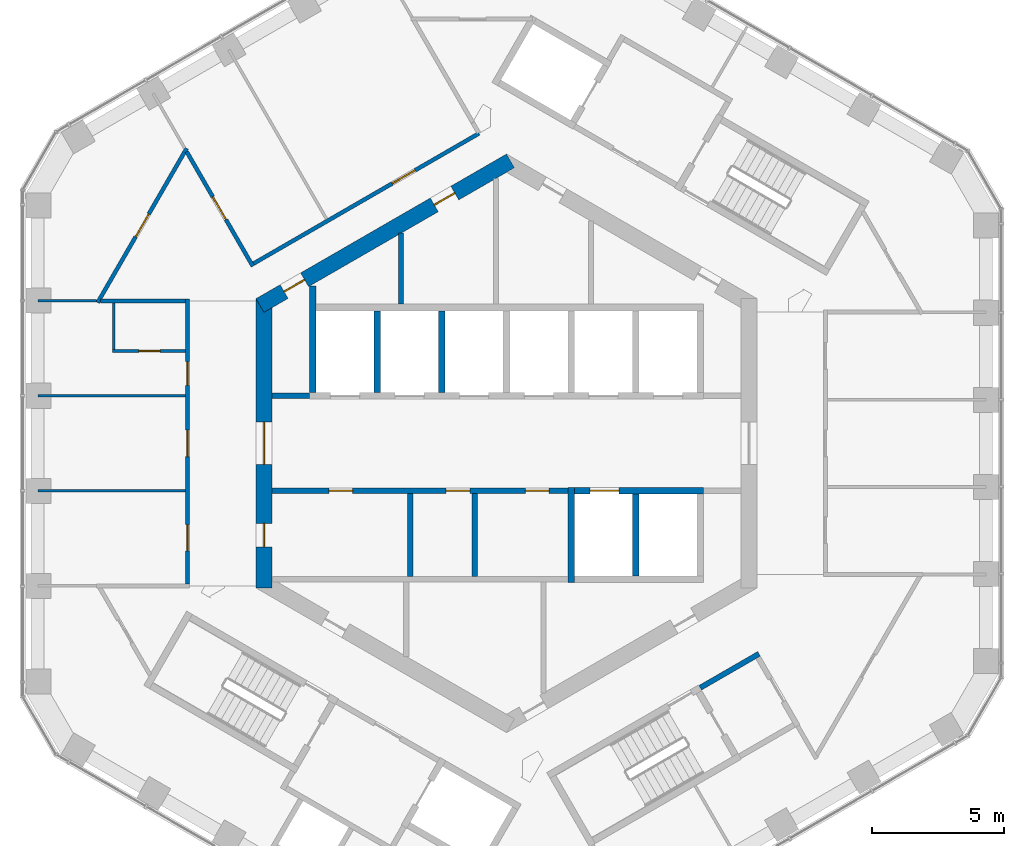
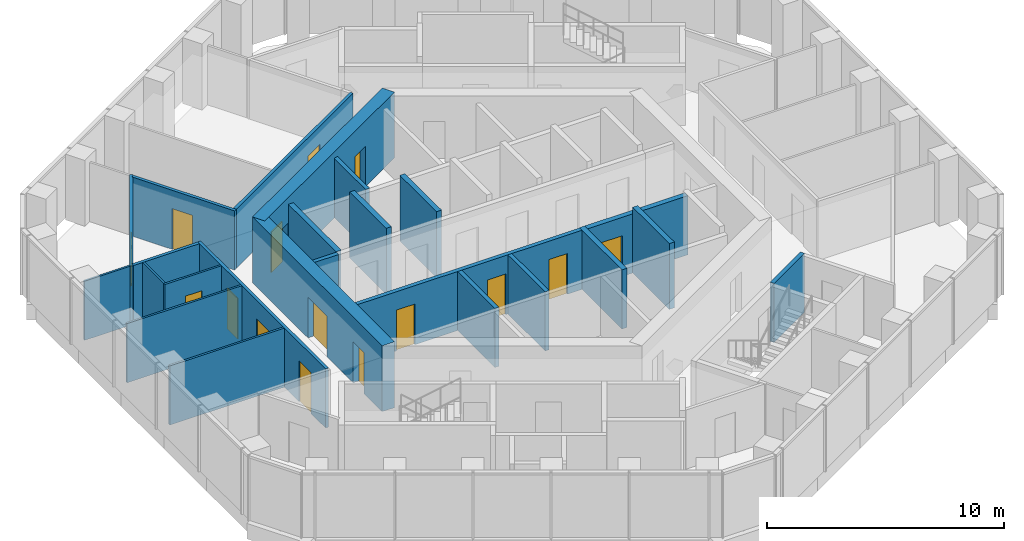
# One storey, part 14 of 18: 24 walls, 15 doors, 15 openings.
"""IFC4 building model written with IfcOpenShell, lengths in metres."""

from ifc_helpers import new_model, si_unit, direction, frame, frame_2d, origin, place, context, subcontext, project, spatial, rectangle, extrude, material, layer, layer_set, type_object, element, fill, save


model = new_model("IFC4")

# Units and contexts
model_context = context("Model", 3, precision=1e-05, world=origin(), true_north=direction((0.0, 1.0)))
body_context = subcontext(model_context, "Body", "Model", "MODEL_VIEW")
ifc_project = project(units=[si_unit("LENGTHUNIT", "METRE"), si_unit("AREAUNIT", "SQUARE_METRE"), si_unit("VOLUMEUNIT", "CUBIC_METRE"), si_unit("PLANEANGLEUNIT", "RADIAN"), si_unit("MASSUNIT", "GRAM", prefix="KILO")], contexts=[model_context])

# Site, building, storey
site_placement = place(None, origin())
site = spatial("IfcSite", under=ifc_project, at=site_placement, CompositionType="ELEMENT")
building_placement = place(site_placement, origin())
building = spatial("IfcBuilding", under=site, at=building_placement, Name="Ayvan Gate Tower", CompositionType="ELEMENT")
storey_placement = place(building_placement, frame((0.0, 0.0, 176.5)))
storey = spatial("IfcBuildingStorey", under=building, at=storey_placement, Name="L47", CompositionType="ELEMENT", Elevation=176.5)

# Wall, openings, doors
ifc_material_1 = material(Name="Concrete C60/75", Category="concrete")
ifc_layer_1 = layer(ifc_material_1, 0.60009765625)
ifc_layer_set_1 = layer_set([ifc_layer_1], Name="Concrete C60/75")
wall_type_1 = type_object("IfcWallType", Name="Core wall 600 C60/75", PredefinedType="SHEAR", material=ifc_layer_set_1)
wall_1_placement = place(storey_placement, frame((0.14990234375, 10.7099609375, 0.0), z_axis=(0.0, 0.0, 1.0), x_axis=(-0.866023993627, -0.500002442456, 0.0)))
wall_1 = element("IfcWall", 1, at=wall_1_placement, inside=storey, type_object=wall_type_1, Name="CORE-L47-2", PredefinedType="SHEAR", context=body_context, shape_type="SweptSolid", body=[
    extrude(rectangle(XDim=10.9697265625, YDim=0.60009765625, at=frame_2d((5.48486328125, 0.0))), origin(), (0.0, 0.0, 1.0), 3.39990234375),
])
opening_1_placement = place(wall_1_placement, frame((9.013427734375, 0.0, 0.0)))
opening_1 = element("IfcOpeningElement", 2, at=opening_1_placement, cuts=wall_1, Name="Opening L47-D39", PredefinedType="OPENING", context=body_context, shape_type="SweptSolid", body=[
    extrude(rectangle(XDim=0.89990234375, YDim=2.10009765625, at=frame_2d((0.449951171875, 1.050048828125))), frame((0.0, 0.31005859375, 0.0), z_axis=(0.0, -1.0, 0.0), x_axis=(1.0, 0.0, 0.0)), (0.0, 0.0, 1.0), 0.6201171875),
])
opening_2_placement = place(wall_1_placement, frame((2.437255859375, 0.0, 0.0)))
opening_2 = element("IfcOpeningElement", 3, at=opening_2_placement, cuts=wall_1, Name="Opening L47-D40", PredefinedType="OPENING", context=body_context, shape_type="SweptSolid", body=[
    extrude(rectangle(XDim=0.89990234375, YDim=2.10009765625, at=frame_2d((0.449951171875, 1.050048828125))), frame((0.0, 0.31005859375, 0.0), z_axis=(0.0, -1.0, 0.0), x_axis=(1.0, 0.0, 0.0)), (0.0, 0.0, 1.0), 0.6201171875),
])
ifc_material_2 = material(Name="Timber door leaf", Category="wood")
door_type_1 = type_object("IfcDoorType", Name="DT-900", OperationType="NOTDEFINED", PredefinedType="DOOR", material=ifc_material_2)
door_1_placement = place(opening_1_placement, origin())
door_1 = element("IfcDoor", 4, at=door_1_placement, inside=storey, type_object=door_type_1, Name="CD-L47-39", OperationType="SINGLE_SWING_RIGHT", OverallHeight=2.10009765625, OverallWidth=0.89990234375, PredefinedType="DOOR", context=body_context, shape_type="SweptSolid", body=[
    extrude(rectangle(XDim=0.89990234375, YDim=2.10009765625, at=frame_2d((0.449951171875, 1.050048828125))), frame((0.0, 0.02490234375, 0.0), z_axis=(0.0, -1.0, 0.0), x_axis=(1.0, 0.0, 0.0)), (0.0, 0.0, 1.0), 0.050048828125),
])
fill(opening_1, door_1)
door_2_placement = place(opening_2_placement, origin())
door_2 = element("IfcDoor", 5, at=door_2_placement, inside=storey, type_object=door_type_1, Name="CD-L47-40", OperationType="SINGLE_SWING_LEFT", OverallHeight=2.10009765625, OverallWidth=0.89990234375, PredefinedType="DOOR", context=body_context, shape_type="SweptSolid", body=[
    extrude(rectangle(XDim=0.89990234375, YDim=2.10009765625, at=frame_2d((0.449951171875, 1.050048828125))), frame((0.0, 0.02490234375, 0.0), z_axis=(0.0, -1.0, 0.0), x_axis=(1.0, 0.0, 0.0)), (0.0, 0.0, 1.0), 0.050048828125),
])
fill(opening_2, door_2)

wall_2_placement = place(storey_placement, frame((-9.199951171875, 5.48486328125, 0.0), z_axis=(0.0, 0.0, 1.0), x_axis=(0.0, -1.0, 0.0)))
wall_2 = element("IfcWall", 6, at=wall_2_placement, inside=storey, type_object=wall_type_1, Name="CORE-L47-3", PredefinedType="SHEAR", context=body_context, shape_type="SweptSolid", body=[
    extrude(rectangle(XDim=10.9697265625, YDim=0.60009765625, at=frame_2d((5.48486328125, 0.0))), origin(), (0.0, 0.0, 1.0), 3.39990234375),
])
opening_3_placement = place(wall_2_placement, frame((8.51611328125, 0.0, 0.0)))
opening_3 = element("IfcOpeningElement", 7, at=opening_3_placement, cuts=wall_2, Name="Opening L47-D46", PredefinedType="OPENING", context=body_context, shape_type="SweptSolid", body=[
    extrude(rectangle(XDim=0.89990234375, YDim=2.10009765625, at=frame_2d((0.449951171875, 1.050048828125))), frame((0.0, 0.31005859375, 0.0), z_axis=(0.0, -1.0, 0.0), x_axis=(1.0, 0.0, 0.0)), (0.0, 0.0, 1.0), 0.6201171875),
])
opening_4_placement = place(wall_2_placement, frame((4.684814453125, 0.0, 0.0)))
opening_4 = element("IfcOpeningElement", 8, at=opening_4_placement, cuts=wall_2, Name="Opening L47-D48", PredefinedType="OPENING", context=body_context, shape_type="SweptSolid", body=[
    extrude(rectangle(XDim=1.60009765625, YDim=2.10009765625, at=frame_2d((0.800048828125, 1.050048828125))), frame((0.0, 0.31005859375, 0.0), z_axis=(0.0, -1.0, 0.0), x_axis=(1.0, 0.0, 0.0)), (0.0, 0.0, 1.0), 0.6201171875),
])
door_type_2 = type_object("IfcDoorType", Name="DT-1600", OperationType="NOTDEFINED", PredefinedType="DOOR", material=ifc_material_2)
door_3_placement = place(opening_4_placement, origin())
door_3 = element("IfcDoor", 9, at=door_3_placement, inside=storey, type_object=door_type_2, Name="CD-L47-48", OperationType="SINGLE_SWING_LEFT", OverallHeight=2.10009765625, OverallWidth=1.60009765625, PredefinedType="DOOR", context=body_context, shape_type="SweptSolid", body=[
    extrude(rectangle(XDim=1.60009765625, YDim=2.10009765625, at=frame_2d((0.800048828125, 1.050048828125))), frame((0.0, 0.02490234375, 0.0), z_axis=(0.0, -1.0, 0.0), x_axis=(1.0, 0.0, 0.0)), (0.0, 0.0, 1.0), 0.050048828125),
])
fill(opening_4, door_3)
door_4_placement = place(opening_3_placement, origin())
door_4 = element("IfcDoor", 10, at=door_4_placement, inside=storey, type_object=door_type_1, Name="CD-L47-46", OperationType="SINGLE_SWING_LEFT", OverallHeight=2.10009765625, OverallWidth=0.89990234375, PredefinedType="DOOR", context=body_context, shape_type="SweptSolid", body=[
    extrude(rectangle(XDim=0.89990234375, YDim=2.10009765625, at=frame_2d((0.449951171875, 1.050048828125))), frame((0.0, 0.02490234375, 0.0), z_axis=(0.0, -1.0, 0.0), x_axis=(1.0, 0.0, 0.0)), (0.0, 0.0, 1.0), 0.050048828125),
])
fill(opening_3, door_4)

# Wall, opening, door
ifc_material_3 = material(Name="Plasterboard on steel stud", Category="steel")
ifc_layer_2 = layer(ifc_material_3, 0.14990234375)
ifc_layer_set_2 = layer_set([ifc_layer_2], Name="Plasterboard on steel stud")
wall_type_2 = type_object("IfcWallType", Name="WT-CORR-150", PredefinedType="PARTITIONING", material=ifc_layer_set_2)
wall_3_placement = place(storey_placement, frame((-15.503173828125, 5.339599609375, 0.0), z_axis=(0.0, 0.0, 1.0), x_axis=(0.499988457423, 0.866032067792, 0.0)))
wall_3 = element("IfcWall", 11, at=wall_3_placement, inside=storey, type_object=wall_type_2, Name="IW-L47-002", PredefinedType="PARTITIONING", context=body_context, shape_type="SweptSolid", body=[
    extrude(rectangle(XDim=6.753173828125, YDim=0.14990234375, at=frame_2d((3.37646484375, 0.0))), origin(), (0.0, 0.0, 1.0), 3.050048828125),
])
opening_5_placement = place(wall_3_placement, frame((2.87646484375, 0.0, 0.0)))
opening_5 = element("IfcOpeningElement", 12, at=opening_5_placement, cuts=wall_3, Name="Opening L47-D27", PredefinedType="OPENING", context=body_context, shape_type="SweptSolid", body=[
    extrude(rectangle(XDim=1.0, YDim=2.10009765625, at=frame_2d((0.5, 1.050048828125))), frame((0.0, 0.0849609375, 0.0), z_axis=(0.0, -1.0, 0.0), x_axis=(1.0, 0.0, 0.0)), (0.0, 0.0, 1.0), 0.169921875),
])
door_type_3 = type_object("IfcDoorType", Name="DT-1000", OperationType="NOTDEFINED", PredefinedType="DOOR", material=ifc_material_2)
door_5_placement = place(opening_5_placement, origin())
door_5 = element("IfcDoor", 13, at=door_5_placement, inside=storey, type_object=door_type_3, Name="ID-L47-027", OperationType="SINGLE_SWING_RIGHT", OverallHeight=2.10009765625, OverallWidth=1.0, PredefinedType="DOOR", context=body_context, shape_type="SweptSolid", body=[
    extrude(rectangle(XDim=1.0, YDim=2.10009765625, at=frame_2d((0.5, 1.050048828125))), frame((0.0, 0.02490234375, 0.0), z_axis=(0.0, -1.0, 0.0), x_axis=(1.0, 0.0, 0.0)), (0.0, 0.0, 1.0), 0.050048828125),
])
fill(opening_5, door_5)

wall_4_placement = place(storey_placement, frame((-12.126708984375, 11.05810546875, 0.0), z_axis=(0.0, 0.0, 1.0), x_axis=(0.500018842284, -0.866014524914, 0.0)))
wall_4 = element("IfcWall", 14, at=wall_4_placement, inside=storey, type_object=wall_type_2, Name="IW-L47-009", PredefinedType="PARTITIONING", context=body_context, shape_type="SweptSolid", body=[
    extrude(rectangle(XDim=5.014892578125, YDim=0.14990234375, at=frame_2d((2.50732421875, 0.0))), origin(), (0.0, 0.0, 1.0), 3.050048828125),
])
opening_6_placement = place(wall_4_placement, frame((1.969970703125, 0.0, 0.0)))
opening_6 = element("IfcOpeningElement", 15, at=opening_6_placement, cuts=wall_4, Name="Opening L47-D38", PredefinedType="OPENING", context=body_context, shape_type="SweptSolid", body=[
    extrude(rectangle(XDim=1.0, YDim=2.10009765625, at=frame_2d((0.5, 1.050048828125))), frame((0.0, 0.0849609375, 0.0), z_axis=(0.0, -1.0, 0.0), x_axis=(1.0, 0.0, 0.0)), (0.0, 0.0, 1.0), 0.169921875),
])
door_6_placement = place(opening_6_placement, origin())
door_6 = element("IfcDoor", 16, at=door_6_placement, inside=storey, type_object=door_type_3, Name="ID-L47-038", OperationType="SINGLE_SWING_LEFT", OverallHeight=2.10009765625, OverallWidth=1.0, PredefinedType="DOOR", context=body_context, shape_type="SweptSolid", body=[
    extrude(rectangle(XDim=1.0, YDim=2.10009765625, at=frame_2d((0.5, 1.050048828125))), frame((0.0, 0.02490234375, 0.0), z_axis=(0.0, -1.0, 0.0), x_axis=(1.0, 0.0, 0.0)), (0.0, 0.0, 1.0), 0.050048828125),
])
fill(opening_6, door_6)

# Wall, openings, doors
wall_5_placement = place(storey_placement, frame((-12.10009765625, -5.32958984375, 0.0), z_axis=(0.0, 0.0, 1.0), x_axis=(0.0, 1.0, 0.0)))
wall_5 = element("IfcWall", 17, at=wall_5_placement, inside=storey, type_object=wall_type_2, Name="IW-L47-010", PredefinedType="PARTITIONING", context=body_context, shape_type="SweptSolid", body=[
    extrude(rectangle(XDim=10.809326171875, YDim=0.14990234375, at=frame_2d((5.40478515625, 0.0))), origin(), (0.0, 0.0, 1.0), 3.050048828125),
])
opening_7_placement = place(wall_5_placement, frame((7.53125, 0.0, 0.0)))
opening_7 = element("IfcOpeningElement", 18, at=opening_7_placement, cuts=wall_5, Name="Opening L47-D28", PredefinedType="OPENING", context=body_context, shape_type="SweptSolid", body=[
    extrude(rectangle(XDim=0.89990234375, YDim=2.10009765625, at=frame_2d((0.449951171875, 1.050048828125))), frame((0.0, 0.0849609375, 0.0), z_axis=(0.0, -1.0, 0.0), x_axis=(1.0, 0.0, 0.0)), (0.0, 0.0, 1.0), 0.169921875),
])
opening_8_placement = place(wall_5_placement, frame((4.82958984375, 0.0, 0.0)))
opening_8 = element("IfcOpeningElement", 19, at=opening_8_placement, cuts=wall_5, Name="Opening L47-D30", PredefinedType="OPENING", context=body_context, shape_type="SweptSolid", body=[
    extrude(rectangle(XDim=1.0, YDim=2.10009765625, at=frame_2d((0.5, 1.050048828125))), frame((0.0, 0.0849609375, 0.0), z_axis=(0.0, -1.0, 0.0), x_axis=(1.0, 0.0, 0.0)), (0.0, 0.0, 1.0), 0.169921875),
])
opening_9_placement = place(wall_5_placement, frame((1.2490234375, 0.0, 0.0)))
opening_9 = element("IfcOpeningElement", 20, at=opening_9_placement, cuts=wall_5, Name="Opening L47-D31", PredefinedType="OPENING", context=body_context, shape_type="SweptSolid", body=[
    extrude(rectangle(XDim=1.0, YDim=2.10009765625, at=frame_2d((0.5, 1.050048828125))), frame((0.0, 0.0849609375, 0.0), z_axis=(0.0, -1.0, 0.0), x_axis=(1.0, 0.0, 0.0)), (0.0, 0.0, 1.0), 0.169921875),
])
door_7_placement = place(opening_8_placement, origin())
door_7 = element("IfcDoor", 21, at=door_7_placement, inside=storey, type_object=door_type_3, Name="ID-L47-030", OperationType="SINGLE_SWING_LEFT", OverallHeight=2.10009765625, OverallWidth=1.0, PredefinedType="DOOR", context=body_context, shape_type="SweptSolid", body=[
    extrude(rectangle(XDim=1.0, YDim=2.10009765625, at=frame_2d((0.5, 1.050048828125))), frame((0.0, 0.02490234375, 0.0), z_axis=(0.0, -1.0, 0.0), x_axis=(1.0, 0.0, 0.0)), (0.0, 0.0, 1.0), 0.050048828125),
])
fill(opening_8, door_7)
door_8_placement = place(opening_9_placement, origin())
door_8 = element("IfcDoor", 22, at=door_8_placement, inside=storey, type_object=door_type_3, Name="ID-L47-031", OperationType="SINGLE_SWING_RIGHT", OverallHeight=2.10009765625, OverallWidth=1.0, PredefinedType="DOOR", context=body_context, shape_type="SweptSolid", body=[
    extrude(rectangle(XDim=1.0, YDim=2.10009765625, at=frame_2d((0.5, 1.050048828125))), frame((0.0, 0.02490234375, 0.0), z_axis=(0.0, -1.0, 0.0), x_axis=(1.0, 0.0, 0.0)), (0.0, 0.0, 1.0), 0.050048828125),
])
fill(opening_9, door_8)
door_9_placement = place(opening_7_placement, origin())
door_9 = element("IfcDoor", 23, at=door_9_placement, inside=storey, type_object=door_type_1, Name="ID-L47-028", OperationType="SINGLE_SWING_LEFT", OverallHeight=2.10009765625, OverallWidth=0.89990234375, PredefinedType="DOOR", context=body_context, shape_type="SweptSolid", body=[
    extrude(rectangle(XDim=0.89990234375, YDim=2.10009765625, at=frame_2d((0.449951171875, 1.050048828125))), frame((0.0, 0.02490234375, 0.0), z_axis=(0.0, -1.0, 0.0), x_axis=(1.0, 0.0, 0.0)), (0.0, 0.0, 1.0), 0.050048828125),
])
fill(opening_7, door_9)

# Wall
wall_6_placement = place(storey_placement, frame((-12.1748046875, 5.40478515625, 0.0), z_axis=(0.0, 0.0, 1.0), x_axis=(-1.0, 0.0, 0.0)))
element("IfcWall", 24, at=wall_6_placement, inside=storey, type_object=wall_type_2, Name="IW-L47-013", PredefinedType="PARTITIONING", context=body_context, shape_type="SweptSolid", body=[
    extrude(rectangle(XDim=3.2158203125, YDim=0.14990234375, at=frame_2d((1.60791015625, 0.0))), origin(), (0.0, 0.0, 1.0), 3.050048828125),
])

# Wall, opening, door
wall_7_placement = place(storey_placement, frame((-9.591796875, 6.8173828125, 0.0), z_axis=(0.0, 0.0, 1.0), x_axis=(0.866024543535, 0.500001489993, 0.0)))
wall_7 = element("IfcWall", 25, at=wall_7_placement, inside=storey, type_object=wall_type_2, Name="IW-L47-015", PredefinedType="PARTITIONING", context=body_context, shape_type="SweptSolid", body=[
    extrude(rectangle(XDim=9.87109375, YDim=0.14990234375, at=frame_2d((4.935546875, 0.0))), origin(), (0.0, 0.0, 1.0), 3.050048828125),
])
opening_10_placement = place(wall_7_placement, frame((6.070556640625, 0.0, 0.0)))
opening_10 = element("IfcOpeningElement", 26, at=opening_10_placement, cuts=wall_7, Name="Opening L47-D37", PredefinedType="OPENING", context=body_context, shape_type="SweptSolid", body=[
    extrude(rectangle(XDim=1.0, YDim=2.10009765625, at=frame_2d((0.5, 1.050048828125))), frame((0.0, 0.0849609375, 0.0), z_axis=(0.0, -1.0, 0.0), x_axis=(1.0, 0.0, 0.0)), (0.0, 0.0, 1.0), 0.169921875),
])
door_10_placement = place(opening_10_placement, origin())
door_10 = element("IfcDoor", 27, at=door_10_placement, inside=storey, type_object=door_type_3, Name="ID-L47-037", OperationType="SINGLE_SWING_RIGHT", OverallHeight=2.10009765625, OverallWidth=1.0, PredefinedType="DOOR", context=body_context, shape_type="SweptSolid", body=[
    extrude(rectangle(XDim=1.0, YDim=2.10009765625, at=frame_2d((0.5, 1.050048828125))), frame((0.0, 0.02490234375, 0.0), z_axis=(0.0, -1.0, 0.0), x_axis=(1.0, 0.0, 0.0)), (0.0, 0.0, 1.0), 0.050048828125),
])
fill(opening_10, door_10)

# Wall
ifc_layer_3 = layer(ifc_material_3, 0.10009765625)
ifc_layer_set_3 = layer_set([ifc_layer_3], Name="Plasterboard on steel stud")
wall_type_3 = type_object("IfcWallType", Name="WT-PART-100", PredefinedType="PARTITIONING", material=ifc_layer_set_3)
wall_8_placement = place(storey_placement, frame((-15.540771484375, 5.40478515625, 0.0), z_axis=(0.0, 0.0, 1.0), x_axis=(-1.0, 0.0, 0.0)))
element("IfcWall", 28, at=wall_8_placement, inside=storey, type_object=wall_type_3, Name="IW-L47-001", PredefinedType="PARTITIONING", context=body_context, shape_type="SweptSolid", body=[
    extrude(rectangle(XDim=2.230224609375, YDim=0.10009765625, at=frame_2d((1.115234375, 0.0))), origin(), (0.0, 0.0, 1.0), 3.050048828125),
])

# Wall, opening, door
wall_9_placement = place(storey_placement, frame((-14.949951171875, 3.501708984375, 0.0), z_axis=(0.0, 0.0, 1.0), x_axis=(1.0, 0.0, 0.0)))
wall_9 = element("IfcWall", 29, at=wall_9_placement, inside=storey, type_object=wall_type_3, Name="IW-L47-004", PredefinedType="PARTITIONING", context=body_context, shape_type="SweptSolid", body=[
    extrude(rectangle(XDim=2.77490234375, YDim=0.10009765625, at=frame_2d((1.387451171875, 0.0))), origin(), (0.0, 0.0, 1.0), 3.050048828125),
])
opening_11_placement = place(wall_9_placement, frame((1.012451171875, 0.0, 0.0)))
opening_11 = element("IfcOpeningElement", 30, at=opening_11_placement, cuts=wall_9, Name="Opening L47-D29", PredefinedType="OPENING", context=body_context, shape_type="SweptSolid", body=[
    extrude(rectangle(XDim=0.800048828125, YDim=2.10009765625, at=frame_2d((0.39990234375, 1.050048828125))), frame((0.0, 0.06005859375, 0.0), z_axis=(0.0, -1.0, 0.0), x_axis=(1.0, 0.0, 0.0)), (0.0, 0.0, 1.0), 0.1201171875),
])
door_type_4 = type_object("IfcDoorType", Name="DT-800", OperationType="NOTDEFINED", PredefinedType="DOOR", material=ifc_material_2)
door_11_placement = place(opening_11_placement, origin())
door_11 = element("IfcDoor", 31, at=door_11_placement, inside=storey, type_object=door_type_4, Name="ID-L47-029", OperationType="SINGLE_SWING_RIGHT", OverallHeight=2.10009765625, OverallWidth=0.800048828125, PredefinedType="DOOR", context=body_context, shape_type="SweptSolid", body=[
    extrude(rectangle(XDim=0.800048828125, YDim=2.10009765625, at=frame_2d((0.39990234375, 1.050048828125))), frame((0.0, 0.02490234375, 0.0), z_axis=(0.0, -1.0, 0.0), x_axis=(1.0, 0.0, 0.0)), (0.0, 0.0, 1.0), 0.050048828125),
])
fill(opening_11, door_11)

# Walls
wall_10_placement = place(storey_placement, frame((-14.89990234375, 5.32958984375, 0.0), z_axis=(0.0, 0.0, 1.0), x_axis=(0.0, -1.0, 0.0)))
element("IfcWall", 32, at=wall_10_placement, inside=storey, type_object=wall_type_3, Name="IW-L47-005", PredefinedType="PARTITIONING", context=body_context, shape_type="SweptSolid", body=[
    extrude(rectangle(XDim=1.778076171875, YDim=0.10009765625, at=frame_2d((0.88916015625, 0.0))), origin(), (0.0, 0.0, 1.0), 3.050048828125),
])
for number, where, z_axis, x_axis, name in (
    (33, (-12.175048828125, -1.801513671875, 0.0), (0.0, 0.0, 1.0), (-1.0, 0.0, 0.0), "IW-L47-011"),
    (34, (-12.175048828125, 1.801513671875, 0.0), (0.0, 0.0, 1.0), (-1.0, 0.0, 0.0), "IW-L47-012"),
):
    element("IfcWall", number, at=place(storey_placement, frame(where, z_axis=z_axis, x_axis=x_axis)), inside=storey, type_object=wall_type_3, Name=name, PredefinedType="PARTITIONING", context=body_context, shape_type="SweptSolid", body=[
        extrude(rectangle(XDim=5.595947265625, YDim=0.10009765625, at=frame_2d((2.7978515625, 0.0))), origin(), (0.0, 0.0, 1.0), 3.050048828125),
    ])
ifc_layer_4 = layer(ifc_material_3, 0.199951171875)
ifc_layer_set_4 = layer_set([ifc_layer_4], Name="Plasterboard on steel stud")
wall_type_4 = type_object("IfcWallType", Name="WT-RATED-200", PredefinedType="PARTITIONING", material=ifc_layer_set_4)
wall_11_placement = place(storey_placement, frame((-8.89990234375, 1.800048828125, 0.0), z_axis=(0.0, 0.0, 1.0), x_axis=(1.0, 0.0, 0.0)))
element("IfcWall", 35, at=wall_11_placement, inside=storey, type_object=wall_type_4, Name="IW-L47-016", PredefinedType="PARTITIONING", context=body_context, shape_type="SweptSolid", body=[
    extrude(rectangle(XDim=1.425048828125, YDim=0.199951171875, at=frame_2d((0.71240234375, 0.0))), origin(), (0.0, 0.0, 1.0), 3.050048828125),
])
wall_12_placement = place(storey_placement, frame((-4.0, 7.96728515625, 0.0), z_axis=(0.0, 0.0, 1.0), x_axis=(0.0, -1.0, 0.0)))
element("IfcWall", 36, at=wall_12_placement, inside=storey, type_object=wall_type_4, Name="IW-L47-032", PredefinedType="PARTITIONING", context=body_context, shape_type="SweptSolid", body=[
    extrude(rectangle(XDim=2.6923828125, YDim=0.199951171875, at=frame_2d((1.34619140625, 0.0))), origin(), (0.0, 0.0, 1.0), 3.050048828125),
])
wall_13_placement = place(storey_placement, frame((-3.64990234375, -1.89990234375, 0.0), z_axis=(0.0, 0.0, 1.0), x_axis=(0.0, -1.0, 0.0)))
element("IfcWall", 37, at=wall_13_placement, inside=storey, type_object=wall_type_4, Name="IW-L47-035", PredefinedType="PARTITIONING", context=body_context, shape_type="SweptSolid", body=[
    extrude(rectangle(XDim=3.150146484375, YDim=0.199951171875, at=frame_2d((1.5751953125, 0.0))), origin(), (0.0, 0.0, 1.0), 3.050048828125),
])

# Wall, openings, doors
wall_14_placement = place(storey_placement, frame((-8.89990234375, -1.800048828125, 0.0), z_axis=(0.0, 0.0, 1.0), x_axis=(1.0, 0.0, 0.0)))
wall_14 = element("IfcWall", 38, at=wall_14_placement, inside=storey, type_object=wall_type_4, Name="IW-L47-036", PredefinedType="PARTITIONING", context=body_context, shape_type="SweptSolid", body=[
    extrude(rectangle(XDim=11.22509765625, YDim=0.199951171875, at=frame_2d((5.612548828125, 0.0))), origin(), (0.0, 0.0, 1.0), 3.050048828125),
])
opening_12_placement = place(wall_14_placement, frame((2.159912109375, 0.0, 0.0)))
opening_12 = element("IfcOpeningElement", 39, at=opening_12_placement, cuts=wall_14, Name="Opening L47-D08", PredefinedType="OPENING", context=body_context, shape_type="SweptSolid", body=[
    extrude(rectangle(XDim=0.89990234375, YDim=2.10009765625, at=frame_2d((0.449951171875, 1.050048828125))), frame((0.0, 0.10986328125, 0.0), z_axis=(0.0, -1.0, 0.0), x_axis=(1.0, 0.0, 0.0)), (0.0, 0.0, 1.0), 0.219970703125),
])
opening_13_placement = place(wall_14_placement, frame((6.610107421875, 0.0, 0.0)))
opening_13 = element("IfcOpeningElement", 40, at=opening_13_placement, cuts=wall_14, Name="Opening L47-D09", PredefinedType="OPENING", context=body_context, shape_type="SweptSolid", body=[
    extrude(rectangle(XDim=0.89990234375, YDim=2.10009765625, at=frame_2d((0.449951171875, 1.050048828125))), frame((0.0, 0.10986328125, 0.0), z_axis=(0.0, -1.0, 0.0), x_axis=(1.0, 0.0, 0.0)), (0.0, 0.0, 1.0), 0.219970703125),
])
opening_14_placement = place(wall_14_placement, frame((9.612548828125, 0.0, 0.0)))
opening_14 = element("IfcOpeningElement", 41, at=opening_14_placement, cuts=wall_14, Name="Opening L47-D10", PredefinedType="OPENING", context=body_context, shape_type="SweptSolid", body=[
    extrude(rectangle(XDim=0.89990234375, YDim=2.10009765625, at=frame_2d((0.449951171875, 1.050048828125))), frame((0.0, 0.10986328125, 0.0), z_axis=(0.0, -1.0, 0.0), x_axis=(1.0, 0.0, 0.0)), (0.0, 0.0, 1.0), 0.219970703125),
])
door_12_placement = place(opening_12_placement, origin())
door_12 = element("IfcDoor", 42, at=door_12_placement, inside=storey, type_object=door_type_1, Name="ID-L47-008", OperationType="SINGLE_SWING_LEFT", OverallHeight=2.10009765625, OverallWidth=0.89990234375, PredefinedType="DOOR", context=body_context, shape_type="SweptSolid", body=[
    extrude(rectangle(XDim=0.89990234375, YDim=2.10009765625, at=frame_2d((0.449951171875, 1.050048828125))), frame((0.0, 0.02490234375, 0.0), z_axis=(0.0, -1.0, 0.0), x_axis=(1.0, 0.0, 0.0)), (0.0, 0.0, 1.0), 0.050048828125),
])
fill(opening_12, door_12)
door_13_placement = place(opening_13_placement, origin())
door_13 = element("IfcDoor", 43, at=door_13_placement, inside=storey, type_object=door_type_1, Name="ID-L47-009", OperationType="SINGLE_SWING_RIGHT", OverallHeight=2.10009765625, OverallWidth=0.89990234375, PredefinedType="DOOR", context=body_context, shape_type="SweptSolid", body=[
    extrude(rectangle(XDim=0.89990234375, YDim=2.10009765625, at=frame_2d((0.449951171875, 1.050048828125))), frame((0.0, 0.02490234375, 0.0), z_axis=(0.0, -1.0, 0.0), x_axis=(1.0, 0.0, 0.0)), (0.0, 0.0, 1.0), 0.050048828125),
])
fill(opening_13, door_13)
door_14_placement = place(opening_14_placement, origin())
door_14 = element("IfcDoor", 44, at=door_14_placement, inside=storey, type_object=door_type_1, Name="ID-L47-010", OperationType="SINGLE_SWING_LEFT", OverallHeight=2.10009765625, OverallWidth=0.89990234375, PredefinedType="DOOR", context=body_context, shape_type="SweptSolid", body=[
    extrude(rectangle(XDim=0.89990234375, YDim=2.10009765625, at=frame_2d((0.449951171875, 1.050048828125))), frame((0.0, 0.02490234375, 0.0), z_axis=(0.0, -1.0, 0.0), x_axis=(1.0, 0.0, 0.0)), (0.0, 0.0, 1.0), 0.050048828125),
])
fill(opening_14, door_14)

# Walls
wall_15_placement = place(storey_placement, frame((-1.199951171875, -1.89990234375, 0.0), z_axis=(0.0, 0.0, 1.0), x_axis=(0.0, -1.0, 0.0)))
element("IfcWall", 45, at=wall_15_placement, inside=storey, type_object=wall_type_4, Name="IW-L47-045", PredefinedType="PARTITIONING", context=body_context, shape_type="SweptSolid", body=[
    extrude(rectangle(XDim=3.150146484375, YDim=0.199951171875, at=frame_2d((1.5751953125, 0.0))), origin(), (0.0, 0.0, 1.0), 3.050048828125),
])
wall_16_placement = place(storey_placement, frame((7.343994140625, -9.27001953125, 0.0), z_axis=(0.0, 0.0, 1.0), x_axis=(0.866005588531, 0.500034319456, 0.0)))
element("IfcWall", 46, at=wall_16_placement, inside=storey, type_object=wall_type_4, Name="IW-L47-074", PredefinedType="PARTITIONING", context=body_context, shape_type="SweptSolid", body=[
    extrude(rectangle(XDim=2.574951171875, YDim=0.199951171875, at=frame_2d((1.28759765625, 0.0))), origin(), (0.0, 0.0, 1.0), 3.050048828125),
])
ifc_material_4 = material(Name="Concrete C50/60", Category="concrete")
ifc_layer_5 = layer(ifc_material_4, 0.25)
ifc_layer_set_5 = layer_set([ifc_layer_5], Name="Concrete C50/60")
wall_type_5 = type_object("IfcWallType", Name="WT-RC-250", PredefinedType="SHEAR", material=ifc_layer_set_5)
wall_17_placement = place(storey_placement, frame((-7.35009765625, 1.925048828125, 0.0), z_axis=(0.0, 0.0, 1.0), x_axis=(0.0, 1.0, 0.0)))
element("IfcWall", 47, at=wall_17_placement, inside=storey, type_object=wall_type_5, Name="IW-L47-024", PredefinedType="SHEAR", context=body_context, shape_type="SweptSolid", body=[
    extrude(rectangle(XDim=4.0361328125, YDim=0.25, at=frame_2d((2.01806640625, 0.0))), origin(), (0.0, 0.0, 1.0), 3.050048828125),
])
for number, where, z_axis, x_axis, name in (
    (48, (-4.89990234375, 5.02490234375, 0.0), (0.0, 0.0, 1.0), (0.0, -1.0, 0.0), "IW-L47-031"),
    (49, (-2.449951171875, 5.02490234375, 0.0), (0.0, 0.0, 1.0), (0.0, -1.0, 0.0), "IW-L47-042"),
):
    element("IfcWall", number, at=place(storey_placement, frame(where, z_axis=z_axis, x_axis=x_axis)), inside=storey, type_object=wall_type_5, Name=name, PredefinedType="SHEAR", context=body_context, shape_type="SweptSolid", body=[
        extrude(rectangle(XDim=3.099853515625, YDim=0.25, at=frame_2d((1.5498046875, 0.0))), origin(), (0.0, 0.0, 1.0), 3.39990234375),
    ])
wall_18_placement = place(storey_placement, frame((2.449951171875, -5.27490234375, 0.0), z_axis=(0.0, 0.0, 1.0), x_axis=(0.0, 1.0, 0.0)))
element("IfcWall", 50, at=wall_18_placement, inside=storey, type_object=wall_type_5, Name="IW-L47-054", PredefinedType="SHEAR", context=body_context, shape_type="SweptSolid", body=[
    extrude(rectangle(XDim=3.599853515625, YDim=0.25, at=frame_2d((1.7998046875, 0.0))), origin(), (0.0, 0.0, 1.0), 3.050048828125),
])
wall_19_placement = place(storey_placement, frame((4.89990234375, -1.925048828125, 0.0), z_axis=(0.0, 0.0, 1.0), x_axis=(0.0, -1.0, 0.0)))
element("IfcWall", 51, at=wall_19_placement, inside=storey, type_object=wall_type_5, Name="IW-L47-066", PredefinedType="SHEAR", context=body_context, shape_type="SweptSolid", body=[
    extrude(rectangle(XDim=3.099853515625, YDim=0.25, at=frame_2d((1.5498046875, 0.0))), origin(), (0.0, 0.0, 1.0), 3.39990234375),
])

# Wall, opening, door
wall_20_placement = place(storey_placement, frame((2.574951171875, -1.800048828125, 0.0), z_axis=(0.0, 0.0, 1.0), x_axis=(1.0, 0.0, 0.0)))
wall_20 = element("IfcWall", 52, at=wall_20_placement, inside=storey, type_object=wall_type_5, Name="IW-L47-068", PredefinedType="SHEAR", context=body_context, shape_type="SweptSolid", body=[
    extrude(rectangle(XDim=4.900146484375, YDim=0.25, at=frame_2d((2.4501953125, 0.0))), origin(), (0.0, 0.0, 1.0), 3.050048828125),
])
opening_15_placement = place(wall_20_placement, frame((0.597412109375, 0.0, 0.0)))
opening_15 = element("IfcOpeningElement", 53, at=opening_15_placement, cuts=wall_20, Name="Opening L47-LD-SV", PredefinedType="OPENING", context=body_context, shape_type="SweptSolid", body=[
    extrude(rectangle(XDim=1.10009765625, YDim=2.10009765625, at=frame_2d((0.550048828125, 1.050048828125))), frame((0.0, 0.135009765625, 0.0), z_axis=(0.0, -1.0, 0.0), x_axis=(1.0, 0.0, 0.0)), (0.0, 0.0, 1.0), 0.27001953125),
])
ifc_material_5 = material(Name="Stainless steel landing door", Category="steel")
door_type_5 = type_object("IfcDoorType", Name="DT-LANDING-1100", OperationType="SLIDING_TO_LEFT", PredefinedType="DOOR", material=ifc_material_5)
door_15_placement = place(opening_15_placement, origin())
door_15 = element("IfcDoor", 54, at=door_15_placement, inside=storey, type_object=door_type_5, Name="ID-L47-007", OperationType="SLIDING_TO_LEFT", OverallHeight=2.10009765625, OverallWidth=1.10009765625, PredefinedType="DOOR", context=body_context, shape_type="SweptSolid", body=[
    extrude(rectangle(XDim=1.10009765625, YDim=2.10009765625, at=frame_2d((0.550048828125, 1.050048828125))), frame((0.0, 0.02490234375, 0.0), z_axis=(0.0, -1.0, 0.0), x_axis=(1.0, 0.0, 0.0)), (0.0, 0.0, 1.0), 0.050048828125),
])
fill(opening_15, door_15)

save(model, "model.ifc")
